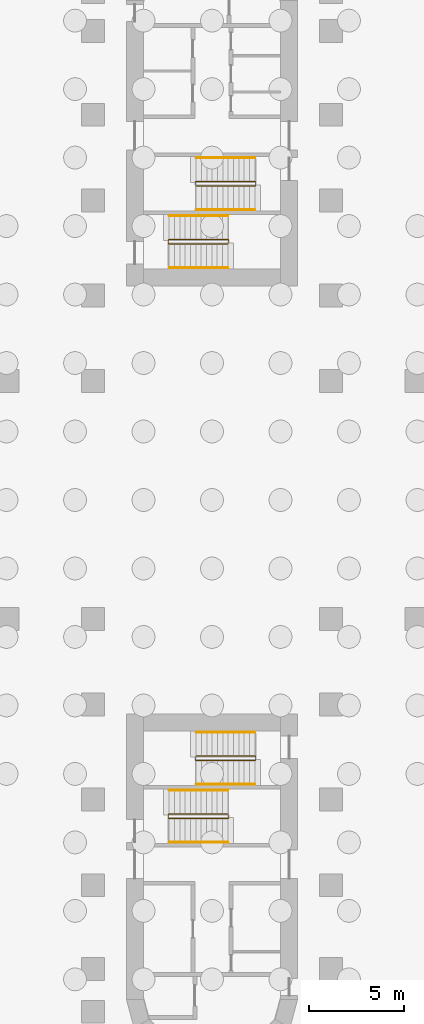
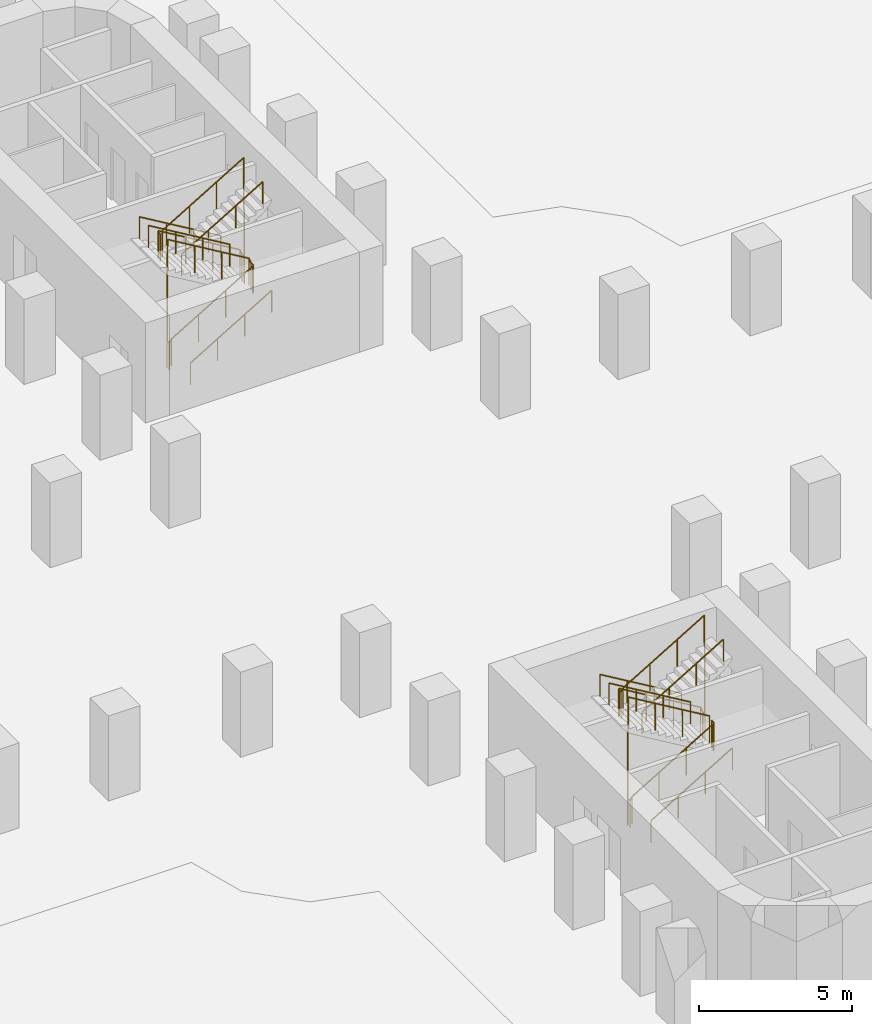
# One storey, part 14 of 14: 12 railings.
"""IFC4 building model written with IfcOpenShell, lengths in metres."""

from ifc_helpers import new_model, si_unit, direction, frame, origin, origin_2d, place, context, subcontext, project, spatial, circle, extrude, material, type_object, element, save


model = new_model("IFC4")

# Units and contexts
model_context = context("Model", 3, precision=1e-05, world=origin(), true_north=direction((0.0, 1.0)))
body_context = subcontext(model_context, "Body", "Model", "MODEL_VIEW")
ifc_project = project(units=[si_unit("LENGTHUNIT", "METRE"), si_unit("AREAUNIT", "SQUARE_METRE"), si_unit("VOLUMEUNIT", "CUBIC_METRE"), si_unit("PLANEANGLEUNIT", "RADIAN"), si_unit("MASSUNIT", "GRAM", prefix="KILO")], contexts=[model_context])

# Site, building, storey
site_placement = place(None, origin())
site = spatial("IfcSite", under=ifc_project, at=site_placement, CompositionType="ELEMENT")
building_placement = place(site_placement, origin())
building = spatial("IfcBuilding", under=site, at=building_placement, Name="Zarbagh Exchange Tower", CompositionType="ELEMENT")
storey_placement = place(building_placement, frame((0.0, 0.0, -8.0)))
storey = spatial("IfcBuildingStorey", under=building, at=storey_placement, Name="B2", CompositionType="ELEMENT", Elevation=-8.0)

# Railings
ifc_material = material(Name="Stainless steel", Category="steel")
railing_type_1 = type_object("IfcRailingType", Name="Stair guard 1100 mm", PredefinedType="GUARDRAIL", material=ifc_material)
railing_1_placement = place(storey_placement, frame((-0.830078125, 16.5, 2.166748046875)))
element("IfcRailing", 1, at=railing_1_placement, inside=storey, type_object=railing_type_1, Name="ST1 stair guard 1", PredefinedType="GUARDRAIL", context=body_context, shape_type="SweptSolid", body=[
    extrude(circle(Radius=0.02392578125, at=origin_2d()), frame((0.0, 0.0, 1.076171875), z_axis=(0.859308565015, 0.0, 0.511457515432), x_axis=(0.0, 1.0, 0.0)), (0.0, 0.0, 1.0), 3.58447265625),
    extrude(circle(Radius=0.02392578125, at=origin_2d()), frame((3.080078125, 0.0, 2.9091796875), z_axis=(0.012510248638, 0.012510248638, -0.99984348143), x_axis=(-0.707106781187, 0.707106781187, 0.0)), (0.0, 0.0, 1.0), 4.000732421875),
    extrude(circle(Radius=0.02392578125, at=origin_2d()), frame((3.130126953125, 0.050048828125, -1.0908203125), z_axis=(0.0, 1.0, 0.0), x_axis=(-1.0, 0.0, 0.0)), (0.0, 0.0, 1.0), 0.14990234375),
    extrude(circle(Radius=0.02392578125, at=origin_2d()), frame((3.130126953125, 0.199951171875, -1.0908203125), z_axis=(-0.27628659633, 0.27628659633, 0.920506074601), x_axis=(-0.707106781187, -0.707106781187, 0.0)), (0.0, 0.0, 1.0), 0.18115234375),
    extrude(circle(Radius=0.02392578125, at=origin_2d()), frame((3.080078125, 0.25, -0.923828125), z_axis=(-0.859308565015, 0.0, 0.511457515432), x_axis=(0.0, -1.0, 0.0)), (0.0, 0.0, 1.0), 3.58447265625),
    extrude(circle(Radius=0.02392578125, at=origin_2d()), frame((0.0, 0.25, 0.9091796875), z_axis=(-0.705375805398, -0.708833529934, 0.0), x_axis=(0.708833529934, -0.705375805398, 0.0)), (0.0, 0.0, 1.0), 0.070556640625),
    extrude(circle(Radius=0.02392578125, at=origin_2d()), frame((-0.0498046875, 0.199951171875, 0.9091796875), z_axis=(0.0, -1.0, 0.0), x_axis=(1.0, 0.0, 0.0)), (0.0, 0.0, 1.0), 0.14990234375),
    extrude(circle(Radius=0.02099609375, at=origin_2d()), origin(), (0.0, 0.0, 1.0), 1.052001953125),
    extrude(circle(Radius=0.02099609375, at=origin_2d()), frame((1.026611328125, 0.0, 0.611083984375)), (0.0, 0.0, 1.0), 1.052001953125),
    extrude(circle(Radius=0.02099609375, at=origin_2d()), frame((2.053466796875, 0.0, 1.22216796875)), (0.0, 0.0, 1.0), 1.052001953125),
    extrude(circle(Radius=0.02099609375, at=origin_2d()), frame((3.080078125, 0.0, 1.833251953125)), (0.0, 0.0, 1.0), 1.052001953125),
    extrude(circle(Radius=0.02099609375, at=origin_2d()), frame((3.092529296875, 0.012451171875, 0.833251953125)), (0.0, 0.0, 1.0), 1.052001953125),
    extrude(circle(Radius=0.02099609375, at=origin_2d()), frame((3.10498046875, 0.02490234375, -0.166748046875)), (0.0, 0.0, 1.0), 1.052001953125),
    extrude(circle(Radius=0.02099609375, at=origin_2d()), frame((3.11767578125, 0.03759765625, -1.166748046875)), (0.0, 0.0, 1.0), 1.052001953125),
    extrude(circle(Radius=0.02099609375, at=origin_2d()), frame((3.130126953125, 0.050048828125, -2.166748046875)), (0.0, 0.0, 1.0), 1.052001953125),
    extrude(circle(Radius=0.02099609375, at=origin_2d()), frame((3.130126953125, 0.199951171875, -2.166748046875)), (0.0, 0.0, 1.0), 1.052001953125),
    extrude(circle(Radius=0.02099609375, at=origin_2d()), frame((3.080078125, 0.25, -2.0)), (0.0, 0.0, 1.0), 1.052001953125),
    extrude(circle(Radius=0.02099609375, at=origin_2d()), frame((2.053466796875, 0.25, -1.388916015625)), (0.0, 0.0, 1.0), 1.052001953125),
    extrude(circle(Radius=0.02099609375, at=origin_2d()), frame((1.026611328125, 0.25, -0.77783203125)), (0.0, 0.0, 1.0), 1.052001953125),
    extrude(circle(Radius=0.02099609375, at=origin_2d()), frame((0.0, 0.25, -0.166748046875)), (0.0, 0.0, 1.0), 1.052001953125),
    extrude(circle(Radius=0.02099609375, at=origin_2d()), frame((-0.0498046875, 0.199951171875, -0.166748046875)), (0.0, 0.0, 1.0), 1.052001953125),
    extrude(circle(Radius=0.02099609375, at=origin_2d()), frame((-0.0498046875, 0.050048828125, -0.166748046875)), (0.0, 0.0, 1.0), 1.052001953125),
])
railing_2_placement = place(storey_placement, frame((0.8798828125, 13.5, 2.0)))
element("IfcRailing", 2, at=railing_2_placement, inside=storey, type_object=railing_type_1, Name="ST2 stair guard 1", PredefinedType="GUARDRAIL", context=body_context, shape_type="SweptSolid", body=[
    extrude(circle(Radius=0.02392578125, at=origin_2d()), frame((0.0, 0.0, 1.076171875), z_axis=(0.0, 1.0, 0.0), x_axis=(-1.0, 0.0, 0.0)), (0.0, 0.0, 1.0), 0.14990234375),
    extrude(circle(Radius=0.02392578125, at=origin_2d()), frame((0.0, 0.14990234375, 1.076171875), z_axis=(-0.275041040955, 0.276389281352, 0.920848191041), x_axis=(-0.708833529934, -0.705375805398, 0.0)), (0.0, 0.0, 1.0), 0.18115234375),
    extrude(circle(Radius=0.02392578125, at=origin_2d()), frame((-0.0498046875, 0.199951171875, 1.24267578125), z_axis=(-0.859308565015, 0.0, 0.511457515432), x_axis=(0.0, -1.0, 0.0)), (0.0, 0.0, 1.0), 3.58447265625),
    extrude(circle(Radius=0.02392578125, at=origin_2d()), frame((-3.1298828125, 0.199951171875, 3.076171875), z_axis=(-0.012510248638, -0.012510248638, -0.99984348143), x_axis=(0.707106781187, -0.707106781187, 0.0)), (0.0, 0.0, 1.0), 4.000732421875),
    extrude(circle(Radius=0.02392578125, at=origin_2d()), frame((-3.179931640625, 0.14990234375, -0.923828125), z_axis=(0.0, -1.0, 0.0), x_axis=(1.0, 0.0, 0.0)), (0.0, 0.0, 1.0), 0.14990234375),
    extrude(circle(Radius=0.02392578125, at=origin_2d()), frame((-3.179931640625, 0.0, -0.923828125), z_axis=(0.27628659633, -0.27628659633, 0.920506074601), x_axis=(0.707106781187, 0.707106781187, 0.0)), (0.0, 0.0, 1.0), 0.18115234375),
    extrude(circle(Radius=0.02392578125, at=origin_2d()), frame((-3.1298828125, -0.050048828125, -0.75732421875), z_axis=(0.859308565015, 0.0, 0.511457515432), x_axis=(0.0, 1.0, 0.0)), (0.0, 0.0, 1.0), 3.58447265625),
    extrude(circle(Radius=0.02099609375, at=origin_2d()), origin(), (0.0, 0.0, 1.0), 1.052001953125),
    extrude(circle(Radius=0.02099609375, at=origin_2d()), frame((0.0, 0.14990234375, 0.0)), (0.0, 0.0, 1.0), 1.052001953125),
    extrude(circle(Radius=0.02099609375, at=origin_2d()), frame((-0.0498046875, 0.199951171875, 0.166748046875)), (0.0, 0.0, 1.0), 1.052001953125),
    extrude(circle(Radius=0.02099609375, at=origin_2d()), frame((-1.076416015625, 0.199951171875, 0.77783203125)), (0.0, 0.0, 1.0), 1.052001953125),
    extrude(circle(Radius=0.02099609375, at=origin_2d()), frame((-2.103271484375, 0.199951171875, 1.388916015625)), (0.0, 0.0, 1.0), 1.052001953125),
    extrude(circle(Radius=0.02099609375, at=origin_2d()), frame((-3.1298828125, 0.199951171875, 2.0)), (0.0, 0.0, 1.0), 1.052001953125),
    extrude(circle(Radius=0.02099609375, at=origin_2d()), frame((-3.142333984375, 0.1875, 1.0)), (0.0, 0.0, 1.0), 1.052001953125),
    extrude(circle(Radius=0.02099609375, at=origin_2d()), frame((-3.15478515625, 0.1748046875, 0.0)), (0.0, 0.0, 1.0), 1.052001953125),
    extrude(circle(Radius=0.02099609375, at=origin_2d()), frame((-3.16748046875, 0.162353515625, -1.0)), (0.0, 0.0, 1.0), 1.052001953125),
    extrude(circle(Radius=0.02099609375, at=origin_2d()), frame((-3.179931640625, 0.14990234375, -2.0)), (0.0, 0.0, 1.0), 1.052001953125),
    extrude(circle(Radius=0.02099609375, at=origin_2d()), frame((-3.179931640625, 0.0, -2.0)), (0.0, 0.0, 1.0), 1.052001953125),
    extrude(circle(Radius=0.02099609375, at=origin_2d()), frame((-3.1298828125, -0.050048828125, -1.833251953125)), (0.0, 0.0, 1.0), 1.052001953125),
    extrude(circle(Radius=0.02099609375, at=origin_2d()), frame((-2.103271484375, -0.050048828125, -1.22216796875)), (0.0, 0.0, 1.0), 1.052001953125),
    extrude(circle(Radius=0.02099609375, at=origin_2d()), frame((-1.076416015625, -0.050048828125, -0.611083984375)), (0.0, 0.0, 1.0), 1.052001953125),
    extrude(circle(Radius=0.02099609375, at=origin_2d()), frame((-0.0498046875, -0.050048828125, 0.0)), (0.0, 0.0, 1.0), 1.052001953125),
])
railing_3_placement = place(storey_placement, frame((0.830078125, -16.5, 2.166748046875)))
element("IfcRailing", 3, at=railing_3_placement, inside=storey, type_object=railing_type_1, Name="ST3 stair guard 1", PredefinedType="GUARDRAIL", context=body_context, shape_type="SweptSolid", body=[
    extrude(circle(Radius=0.02392578125, at=origin_2d()), frame((0.0, 0.0, 1.076171875), z_axis=(-0.859308565015, 0.0, 0.511457515432), x_axis=(0.0, -1.0, 0.0)), (0.0, 0.0, 1.0), 3.58447265625),
    extrude(circle(Radius=0.02392578125, at=origin_2d()), frame((-3.080078125, 0.0, 2.9091796875), z_axis=(-0.012510248638, -0.012510248638, -0.99984348143), x_axis=(0.707106781187, -0.707106781187, 0.0)), (0.0, 0.0, 1.0), 4.000732421875),
    extrude(circle(Radius=0.02392578125, at=origin_2d()), frame((-3.130126953125, -0.050048828125, -1.0908203125), z_axis=(0.0, -1.0, 0.0), x_axis=(1.0, 0.0, 0.0)), (0.0, 0.0, 1.0), 0.14990234375),
    extrude(circle(Radius=0.02392578125, at=origin_2d()), frame((-3.130126953125, -0.199951171875, -1.0908203125), z_axis=(0.27628659633, -0.27628659633, 0.920506074601), x_axis=(0.707106781187, 0.707106781187, 0.0)), (0.0, 0.0, 1.0), 0.18115234375),
    extrude(circle(Radius=0.02392578125, at=origin_2d()), frame((-3.080078125, -0.25, -0.923828125), z_axis=(0.859308565015, 0.0, 0.511457515432), x_axis=(0.0, 1.0, 0.0)), (0.0, 0.0, 1.0), 3.58447265625),
    extrude(circle(Radius=0.02392578125, at=origin_2d()), frame((0.0, -0.25, 0.9091796875), z_axis=(0.705375805398, 0.708833529934, 0.0), x_axis=(-0.708833529934, 0.705375805398, 0.0)), (0.0, 0.0, 1.0), 0.070556640625),
    extrude(circle(Radius=0.02392578125, at=origin_2d()), frame((0.0498046875, -0.199951171875, 0.9091796875), z_axis=(0.0, 1.0, 0.0), x_axis=(-1.0, 0.0, 0.0)), (0.0, 0.0, 1.0), 0.14990234375),
    extrude(circle(Radius=0.02099609375, at=origin_2d()), origin(), (0.0, 0.0, 1.0), 1.052001953125),
    extrude(circle(Radius=0.02099609375, at=origin_2d()), frame((-1.026611328125, 0.0, 0.611083984375)), (0.0, 0.0, 1.0), 1.052001953125),
    extrude(circle(Radius=0.02099609375, at=origin_2d()), frame((-2.053466796875, 0.0, 1.22216796875)), (0.0, 0.0, 1.0), 1.052001953125),
    extrude(circle(Radius=0.02099609375, at=origin_2d()), frame((-3.080078125, 0.0, 1.833251953125)), (0.0, 0.0, 1.0), 1.052001953125),
    extrude(circle(Radius=0.02099609375, at=origin_2d()), frame((-3.092529296875, -0.012451171875, 0.833251953125)), (0.0, 0.0, 1.0), 1.052001953125),
    extrude(circle(Radius=0.02099609375, at=origin_2d()), frame((-3.10498046875, -0.02490234375, -0.166748046875)), (0.0, 0.0, 1.0), 1.052001953125),
    extrude(circle(Radius=0.02099609375, at=origin_2d()), frame((-3.11767578125, -0.03759765625, -1.166748046875)), (0.0, 0.0, 1.0), 1.052001953125),
    extrude(circle(Radius=0.02099609375, at=origin_2d()), frame((-3.130126953125, -0.050048828125, -2.166748046875)), (0.0, 0.0, 1.0), 1.052001953125),
    extrude(circle(Radius=0.02099609375, at=origin_2d()), frame((-3.130126953125, -0.199951171875, -2.166748046875)), (0.0, 0.0, 1.0), 1.052001953125),
    extrude(circle(Radius=0.02099609375, at=origin_2d()), frame((-3.080078125, -0.25, -2.0)), (0.0, 0.0, 1.0), 1.052001953125),
    extrude(circle(Radius=0.02099609375, at=origin_2d()), frame((-2.053466796875, -0.25, -1.388916015625)), (0.0, 0.0, 1.0), 1.052001953125),
    extrude(circle(Radius=0.02099609375, at=origin_2d()), frame((-1.026611328125, -0.25, -0.77783203125)), (0.0, 0.0, 1.0), 1.052001953125),
    extrude(circle(Radius=0.02099609375, at=origin_2d()), frame((0.0, -0.25, -0.166748046875)), (0.0, 0.0, 1.0), 1.052001953125),
    extrude(circle(Radius=0.02099609375, at=origin_2d()), frame((0.0498046875, -0.199951171875, -0.166748046875)), (0.0, 0.0, 1.0), 1.052001953125),
    extrude(circle(Radius=0.02099609375, at=origin_2d()), frame((0.0498046875, -0.050048828125, -0.166748046875)), (0.0, 0.0, 1.0), 1.052001953125),
])
railing_4_placement = place(storey_placement, frame((-0.8798828125, -13.5, 2.0)))
element("IfcRailing", 4, at=railing_4_placement, inside=storey, type_object=railing_type_1, Name="ST4 stair guard 1", PredefinedType="GUARDRAIL", context=body_context, shape_type="SweptSolid", body=[
    extrude(circle(Radius=0.02392578125, at=origin_2d()), frame((0.0, 0.0, 1.076171875), z_axis=(0.0, -1.0, 0.0), x_axis=(1.0, 0.0, 0.0)), (0.0, 0.0, 1.0), 0.14990234375),
    extrude(circle(Radius=0.02392578125, at=origin_2d()), frame((0.0, -0.14990234375, 1.076171875), z_axis=(0.275041040955, -0.276389281352, 0.920848191041), x_axis=(0.708833529934, 0.705375805398, 0.0)), (0.0, 0.0, 1.0), 0.18115234375),
    extrude(circle(Radius=0.02392578125, at=origin_2d()), frame((0.0498046875, -0.199951171875, 1.24267578125), z_axis=(0.859308565015, 0.0, 0.511457515432), x_axis=(0.0, 1.0, 0.0)), (0.0, 0.0, 1.0), 3.58447265625),
    extrude(circle(Radius=0.02392578125, at=origin_2d()), frame((3.1298828125, -0.199951171875, 3.076171875), z_axis=(0.012510248638, 0.012510248638, -0.99984348143), x_axis=(-0.707106781187, 0.707106781187, 0.0)), (0.0, 0.0, 1.0), 4.000732421875),
    extrude(circle(Radius=0.02392578125, at=origin_2d()), frame((3.179931640625, -0.14990234375, -0.923828125), z_axis=(0.0, 1.0, 0.0), x_axis=(-1.0, 0.0, 0.0)), (0.0, 0.0, 1.0), 0.14990234375),
    extrude(circle(Radius=0.02392578125, at=origin_2d()), frame((3.179931640625, 0.0, -0.923828125), z_axis=(-0.27628659633, 0.27628659633, 0.920506074601), x_axis=(-0.707106781187, -0.707106781187, 0.0)), (0.0, 0.0, 1.0), 0.18115234375),
    extrude(circle(Radius=0.02392578125, at=origin_2d()), frame((3.1298828125, 0.050048828125, -0.75732421875), z_axis=(-0.859308565015, 0.0, 0.511457515432), x_axis=(0.0, -1.0, 0.0)), (0.0, 0.0, 1.0), 3.58447265625),
    extrude(circle(Radius=0.02099609375, at=origin_2d()), origin(), (0.0, 0.0, 1.0), 1.052001953125),
    extrude(circle(Radius=0.02099609375, at=origin_2d()), frame((0.0, -0.14990234375, 0.0)), (0.0, 0.0, 1.0), 1.052001953125),
    extrude(circle(Radius=0.02099609375, at=origin_2d()), frame((0.0498046875, -0.199951171875, 0.166748046875)), (0.0, 0.0, 1.0), 1.052001953125),
    extrude(circle(Radius=0.02099609375, at=origin_2d()), frame((1.076416015625, -0.199951171875, 0.77783203125)), (0.0, 0.0, 1.0), 1.052001953125),
    extrude(circle(Radius=0.02099609375, at=origin_2d()), frame((2.103271484375, -0.199951171875, 1.388916015625)), (0.0, 0.0, 1.0), 1.052001953125),
    extrude(circle(Radius=0.02099609375, at=origin_2d()), frame((3.1298828125, -0.199951171875, 2.0)), (0.0, 0.0, 1.0), 1.052001953125),
    extrude(circle(Radius=0.02099609375, at=origin_2d()), frame((3.142333984375, -0.1875, 1.0)), (0.0, 0.0, 1.0), 1.052001953125),
    extrude(circle(Radius=0.02099609375, at=origin_2d()), frame((3.15478515625, -0.1748046875, 0.0)), (0.0, 0.0, 1.0), 1.052001953125),
    extrude(circle(Radius=0.02099609375, at=origin_2d()), frame((3.16748046875, -0.162353515625, -1.0)), (0.0, 0.0, 1.0), 1.052001953125),
    extrude(circle(Radius=0.02099609375, at=origin_2d()), frame((3.179931640625, -0.14990234375, -2.0)), (0.0, 0.0, 1.0), 1.052001953125),
    extrude(circle(Radius=0.02099609375, at=origin_2d()), frame((3.179931640625, 0.0, -2.0)), (0.0, 0.0, 1.0), 1.052001953125),
    extrude(circle(Radius=0.02099609375, at=origin_2d()), frame((3.1298828125, 0.050048828125, -1.833251953125)), (0.0, 0.0, 1.0), 1.052001953125),
    extrude(circle(Radius=0.02099609375, at=origin_2d()), frame((2.103271484375, 0.050048828125, -1.22216796875)), (0.0, 0.0, 1.0), 1.052001953125),
    extrude(circle(Radius=0.02099609375, at=origin_2d()), frame((1.076416015625, 0.050048828125, -0.611083984375)), (0.0, 0.0, 1.0), 1.052001953125),
    extrude(circle(Radius=0.02099609375, at=origin_2d()), frame((0.0498046875, 0.050048828125, 0.0)), (0.0, 0.0, 1.0), 1.052001953125),
])
railing_type_2 = type_object("IfcRailingType", Name="Stair handrail 900 mm", PredefinedType="HANDRAIL", material=ifc_material)
railing_5_placement = place(storey_placement, frame((2.25, 18.0, 0.166748046875)))
element("IfcRailing", 5, at=railing_5_placement, inside=storey, type_object=railing_type_2, Name="ST1 stair handrail 1", PredefinedType="HANDRAIL", context=body_context, shape_type="SweptSolid", body=[
    extrude(circle(Radius=0.02392578125, at=origin_2d()), frame((0.0, 0.0, 0.8759765625), z_axis=(-0.859308565015, 0.0, 0.511457515432), x_axis=(0.0, -1.0, 0.0)), (0.0, 0.0, 1.0), 3.58447265625),
    extrude(circle(Radius=0.02099609375, at=origin_2d()), origin(), (0.0, 0.0, 1.0), 0.851806640625),
    extrude(circle(Radius=0.02099609375, at=origin_2d()), frame((-1.026611328125, 0.0, 0.611083984375)), (0.0, 0.0, 1.0), 0.851806640625),
    extrude(circle(Radius=0.02099609375, at=origin_2d()), frame((-2.053466796875, 0.0, 1.22216796875)), (0.0, 0.0, 1.0), 0.851806640625),
    extrude(circle(Radius=0.02099609375, at=origin_2d()), frame((-3.080078125, 0.0, 1.833251953125)), (0.0, 0.0, 1.0), 0.851806640625),
])
for number, where, name in (
    (6, (-0.830078125, 15.25, 2.166748046875), "ST1 stair handrail 2"),
    (7, (-2.25, 12.199951171875, 0.166748046875), "ST2 stair handrail 1"),
):
    element("IfcRailing", number, at=place(storey_placement, frame(where)), inside=storey, type_object=railing_type_2, Name=name, PredefinedType="HANDRAIL", context=body_context, shape_type="SweptSolid", body=[
        extrude(circle(Radius=0.02392578125, at=origin_2d()), frame((0.0, 0.0, 0.8759765625), z_axis=(0.859308565015, 0.0, 0.511457515432), x_axis=(0.0, 1.0, 0.0)), (0.0, 0.0, 1.0), 3.58447265625),
        extrude(circle(Radius=0.02099609375, at=origin_2d()), origin(), (0.0, 0.0, 1.0), 0.851806640625),
        extrude(circle(Radius=0.02099609375, at=origin_2d()), frame((1.026611328125, 0.0, 0.611083984375)), (0.0, 0.0, 1.0), 0.851806640625),
        extrude(circle(Radius=0.02099609375, at=origin_2d()), frame((2.053466796875, 0.0, 1.22216796875)), (0.0, 0.0, 1.0), 0.851806640625),
        extrude(circle(Radius=0.02099609375, at=origin_2d()), frame((3.080078125, 0.0, 1.833251953125)), (0.0, 0.0, 1.0), 0.851806640625),
    ])
railing_6_placement = place(storey_placement, frame((0.830078125, 14.949951171875, 2.166748046875)))
element("IfcRailing", 8, at=railing_6_placement, inside=storey, type_object=railing_type_2, Name="ST2 stair handrail 2", PredefinedType="HANDRAIL", context=body_context, shape_type="SweptSolid", body=[
    extrude(circle(Radius=0.02392578125, at=origin_2d()), frame((0.0, 0.0, 0.8759765625), z_axis=(-0.859308565015, 0.0, 0.511457515432), x_axis=(0.0, -1.0, 0.0)), (0.0, 0.0, 1.0), 3.58447265625),
    extrude(circle(Radius=0.02099609375, at=origin_2d()), origin(), (0.0, 0.0, 1.0), 0.851806640625),
    extrude(circle(Radius=0.02099609375, at=origin_2d()), frame((-1.026611328125, 0.0, 0.611083984375)), (0.0, 0.0, 1.0), 0.851806640625),
    extrude(circle(Radius=0.02099609375, at=origin_2d()), frame((-2.053466796875, 0.0, 1.22216796875)), (0.0, 0.0, 1.0), 0.851806640625),
    extrude(circle(Radius=0.02099609375, at=origin_2d()), frame((-3.080078125, 0.0, 1.833251953125)), (0.0, 0.0, 1.0), 0.851806640625),
])
railing_7_placement = place(storey_placement, frame((-2.25, -18.0, 0.166748046875)))
element("IfcRailing", 9, at=railing_7_placement, inside=storey, type_object=railing_type_2, Name="ST3 stair handrail 1", PredefinedType="HANDRAIL", context=body_context, shape_type="SweptSolid", body=[
    extrude(circle(Radius=0.02392578125, at=origin_2d()), frame((0.0, 0.0, 0.8759765625), z_axis=(0.859308565015, 0.0, 0.511457515432), x_axis=(0.0, 1.0, 0.0)), (0.0, 0.0, 1.0), 3.58447265625),
    extrude(circle(Radius=0.02099609375, at=origin_2d()), origin(), (0.0, 0.0, 1.0), 0.851806640625),
    extrude(circle(Radius=0.02099609375, at=origin_2d()), frame((1.026611328125, 0.0, 0.611083984375)), (0.0, 0.0, 1.0), 0.851806640625),
    extrude(circle(Radius=0.02099609375, at=origin_2d()), frame((2.053466796875, 0.0, 1.22216796875)), (0.0, 0.0, 1.0), 0.851806640625),
    extrude(circle(Radius=0.02099609375, at=origin_2d()), frame((3.080078125, 0.0, 1.833251953125)), (0.0, 0.0, 1.0), 0.851806640625),
])
for number, where, name in (
    (10, (0.830078125, -15.25, 2.166748046875), "ST3 stair handrail 2"),
    (11, (2.25, -12.199951171875, 0.166748046875), "ST4 stair handrail 1"),
):
    element("IfcRailing", number, at=place(storey_placement, frame(where)), inside=storey, type_object=railing_type_2, Name=name, PredefinedType="HANDRAIL", context=body_context, shape_type="SweptSolid", body=[
        extrude(circle(Radius=0.02392578125, at=origin_2d()), frame((0.0, 0.0, 0.8759765625), z_axis=(-0.859308565015, 0.0, 0.511457515432), x_axis=(0.0, -1.0, 0.0)), (0.0, 0.0, 1.0), 3.58447265625),
        extrude(circle(Radius=0.02099609375, at=origin_2d()), origin(), (0.0, 0.0, 1.0), 0.851806640625),
        extrude(circle(Radius=0.02099609375, at=origin_2d()), frame((-1.026611328125, 0.0, 0.611083984375)), (0.0, 0.0, 1.0), 0.851806640625),
        extrude(circle(Radius=0.02099609375, at=origin_2d()), frame((-2.053466796875, 0.0, 1.22216796875)), (0.0, 0.0, 1.0), 0.851806640625),
        extrude(circle(Radius=0.02099609375, at=origin_2d()), frame((-3.080078125, 0.0, 1.833251953125)), (0.0, 0.0, 1.0), 0.851806640625),
    ])
railing_8_placement = place(storey_placement, frame((-0.830078125, -14.949951171875, 2.166748046875)))
element("IfcRailing", 12, at=railing_8_placement, inside=storey, type_object=railing_type_2, Name="ST4 stair handrail 2", PredefinedType="HANDRAIL", context=body_context, shape_type="SweptSolid", body=[
    extrude(circle(Radius=0.02392578125, at=origin_2d()), frame((0.0, 0.0, 0.8759765625), z_axis=(0.859308565015, 0.0, 0.511457515432), x_axis=(0.0, 1.0, 0.0)), (0.0, 0.0, 1.0), 3.58447265625),
    extrude(circle(Radius=0.02099609375, at=origin_2d()), origin(), (0.0, 0.0, 1.0), 0.851806640625),
    extrude(circle(Radius=0.02099609375, at=origin_2d()), frame((1.026611328125, 0.0, 0.611083984375)), (0.0, 0.0, 1.0), 0.851806640625),
    extrude(circle(Radius=0.02099609375, at=origin_2d()), frame((2.053466796875, 0.0, 1.22216796875)), (0.0, 0.0, 1.0), 0.851806640625),
    extrude(circle(Radius=0.02099609375, at=origin_2d()), frame((3.080078125, 0.0, 1.833251953125)), (0.0, 0.0, 1.0), 0.851806640625),
])

save(model, "model.ifc")
